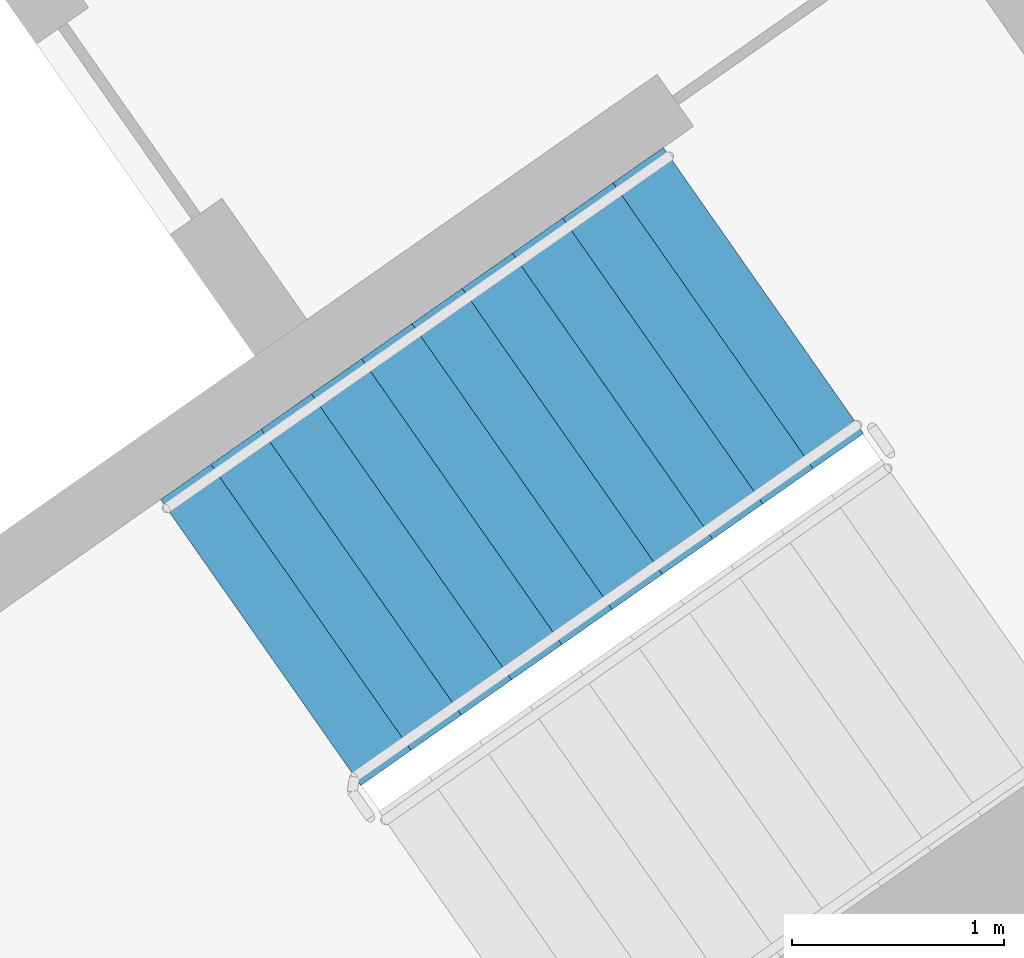
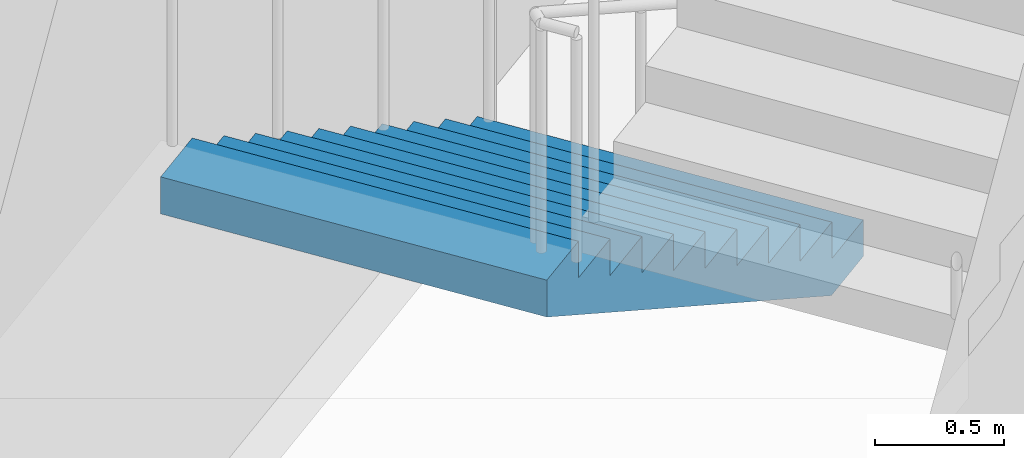
# One storey, part 15 of 28: 1 stair flight, 1 element without a shape of its own.
"""IFC4 building model written with IfcOpenShell, lengths in metres."""

import ifcopenshell
import ifcopenshell.guid

model = None  # the IFC model being written
_history = None  # IfcOwnerHistory: only IFC2X3 demands one
_inside = {}  # id of a spatial element -> (the spatial element, [elements in it])
_under = {}  # id of a project, library or spatial element -> (it, [spatial elements below it])
_declared = {}  # id of a project -> (the project, [libraries it declares])
_typed = {}  # id of a type object -> (the type object, [elements of that type])
_made_of = {}  # id of a material, layer set ... -> (it, [elements and type objects made of it])


def new_model(schema):
    """Start an empty IFC model of exactly this schema.

    Asked for "IFC4X3", IfcOpenShell would pick the latest addendum, in which some entities
    have other attributes; the version numbers below select the first issue.
    IFC2X3 requires an IfcOwnerHistory on every rooted entity: one is made here for all.
    """
    global model, _history
    if schema == "IFC4X3":
        model = ifcopenshell.file(schema_version=(4, 3, 0, 0))
    else:
        model = ifcopenshell.file(schema=schema)
    _inside.clear()
    _under.clear()
    _declared.clear()
    _typed.clear()
    _made_of.clear()
    _history = None
    if model.schema == "IFC2X3":
        org = make("IfcOrganization", Name="unknown")
        user = make(
            "IfcPersonAndOrganization",
            ThePerson=make("IfcPerson", FamilyName="unknown"),
            TheOrganization=org,
        )
        app = make(
            "IfcApplication",
            ApplicationDeveloper=org,
            Version="unknown",
            ApplicationFullName="unknown",
            ApplicationIdentifier="unknown",
        )
        _history = make(
            "IfcOwnerHistory",
            OwningUser=user,
            OwningApplication=app,
            ChangeAction="ADDED",
            CreationDate=0,
        )
    return model


def make(cls, **values):
    """One entity of the class cls with the attributes given. An attribute that is None is left unset."""
    return model.create_entity(
        cls, **{name: value for name, value in values.items() if value is not None}
    )


def rooted(cls, **values):
    """An entity with a GlobalId (a new one), such as an element, a storey or a relation."""
    return make(cls, GlobalId=ifcopenshell.guid.new(), OwnerHistory=_history, **values)


def si_unit(unit_type, name, prefix=None):
    """IfcSIUnit, for example si_unit("LENGTHUNIT", "METRE", prefix="MILLI")."""
    return make("IfcSIUnit", UnitType=unit_type, Prefix=prefix, Name=name)


def assignment(units):
    """IfcUnitAssignment: the units of a project."""
    return None if units is None else make("IfcUnitAssignment", Units=units)


def point(xyz):
    """IfcCartesianPoint."""
    return None if xyz is None else make("IfcCartesianPoint", Coordinates=xyz)


def direction(xyz):
    """IfcDirection."""
    return None if xyz is None else make("IfcDirection", DirectionRatios=xyz)


def frame(location, z_axis=None, x_axis=None):
    """IfcAxis2Placement3D, a coordinate frame: its origin and axes. An axis left out is left unset."""
    return make(
        "IfcAxis2Placement3D",
        Location=point(location),
        Axis=direction(z_axis),
        RefDirection=direction(x_axis),
    )


def origin():
    """The frame at (0, 0, 0) with its axes left unset."""
    return frame((0.0, 0.0, 0.0))


def place(relative_to, where):
    """IfcLocalPlacement: puts the frame where relative to a parent placement (None: the world)."""
    return make(
        "IfcLocalPlacement", PlacementRelTo=relative_to, RelativePlacement=where
    )


def context(
    kind, dimensions, precision=None, world=None, true_north=None, identifier=None
):
    """IfcGeometricRepresentationContext, for example the 3D "Model" context."""
    return make(
        "IfcGeometricRepresentationContext",
        ContextIdentifier=identifier,
        ContextType=kind,
        CoordinateSpaceDimension=dimensions,
        Precision=precision,
        WorldCoordinateSystem=world,
        TrueNorth=true_north,
    )


def subcontext(parent, identifier, kind, view, scale=None):
    """IfcGeometricRepresentationSubContext, for example "Body" below "Model"."""
    return make(
        "IfcGeometricRepresentationSubContext",
        ContextIdentifier=identifier,
        ContextType=kind,
        ParentContext=parent,
        TargetScale=scale,
        TargetView=view,
    )


def project(units=None, contexts=None):
    """IfcProject with its units and contexts."""
    return rooted(
        "IfcProject",
        Name="project",
        RepresentationContexts=contexts,
        UnitsInContext=assignment(units),
    )


def spatial(cls, under=None, at=None, **own):
    """A site, building, storey or space (cls), placed at a placement, below another one or the project."""
    s = rooted(cls, ObjectPlacement=at, **own)
    if under is not None:
        _under.setdefault(under.id(), (under, []))[1].append(s)
    return s


def faces_of(points, faces, orient=None, outer=None):
    """IfcFace entities. A face is a list of loops; a loop is a list of indices into points, from 0.

    orient and outer hold one flag for each loop. By default every Orientation is true, the
    first loop of a face is its IfcFaceOuterBound and the others are IfcFaceBound.
    """
    made = []
    for i, loops in enumerate(faces):
        bounds = []
        for j, loop in enumerate(loops):
            is_outer = j == 0 if outer is None else outer[i][j]
            bounds.append(
                make(
                    "IfcFaceOuterBound" if is_outer else "IfcFaceBound",
                    Bound=make("IfcPolyLoop", Polygon=[points[k] for k in loop]),
                    Orientation=True if orient is None else orient[i][j],
                )
            )
        made.append(make("IfcFace", Bounds=bounds))
    return made


def faceted_brep(points, faces, orient=None, outer=None, voids=None):
    """IfcFacetedBrep: a solid bounded by flat faces; with voids (closed shells), ...WithVoids."""
    shared = [point(p) for p in points]
    hull = make("IfcClosedShell", CfsFaces=faces_of(shared, faces, orient, outer))
    if voids is None:
        return make("IfcFacetedBrep", Outer=hull)
    return make(
        "IfcFacetedBrepWithVoids",
        Outer=hull,
        Voids=[
            make(cls, CfsFaces=faces_of(shared, fs, o, b)) for cls, fs, o, b in voids
        ],
    )


def shape(context_of_items, identifier, shape_type, items):
    """IfcShapeRepresentation: the items that make up one representation, for example the "Body"."""
    return make(
        "IfcShapeRepresentation",
        ContextOfItems=context_of_items,
        RepresentationIdentifier=identifier,
        RepresentationType=shape_type,
        Items=items,
    )


def material(Name=None, Category=None):
    """IfcMaterial."""
    return make("IfcMaterial", Name=Name, Category=Category)


def made_of(thing, what):
    """Note that an element or type object is made of a material, layer set ...; save() writes the relation."""
    if what is not None:
        _made_of.setdefault(what.id(), (what, []))[1].append(thing)
    return thing


def type_object(cls, material=None, **own):
    """A type object (cls), such as IfcWallType, which elements share."""
    return made_of(rooted(cls, **own), material)


def element(
    cls,
    number,
    at=None,
    inside=None,
    cuts=None,
    type_object=None,
    material=None,
    context=None,
    identifier="Body",
    shape_type=None,
    held_by="IfcProductDefinitionShape",
    body=None,
    shapes=None,
    **own,
):
    """One element of the class cls, such as IfcWall. Its Tag is "e" and its number.

    at: its placement. inside: the storey or other place that contains it. cuts: it is an
    opening in that element (IfcRelVoidsElement). A single representation is given by context,
    identifier, shape_type and body (its items); several are given by shapes. held_by: the class
    of the entity that holds the representations. save() writes the other relations.
    """
    e = rooted(cls, Tag="e%d" % number, ObjectPlacement=at, **own)
    if body is not None:
        shapes = [shape(context, identifier, shape_type, body)]
    if shapes is not None:
        e.Representation = make(held_by, Representations=shapes)
    if inside is not None:
        _inside.setdefault(inside.id(), (inside, []))[1].append(e)
    if cuts is not None:
        rooted(
            "IfcRelVoidsElement", RelatingBuildingElement=cuts, RelatedOpeningElement=e
        )
    if type_object is not None:
        _typed.setdefault(type_object.id(), (type_object, []))[1].append(e)
    return made_of(e, material)


def aggregate(whole, parts):
    """IfcRelAggregates: a whole, such as a stair, and the parts it consists of."""
    return rooted("IfcRelAggregates", RelatingObject=whole, RelatedObjects=parts)


def save(model, path):
    """Write the relations noted so far, then the file.

    IfcRelAggregates (storeys below a building ...), IfcRelContainedInSpatialStructure (elements
    in a storey), IfcRelDefinesByType, IfcRelAssociatesMaterial and IfcRelDeclares: one each for
    every whole, place, type object, material and project.
    """
    for whole, parts in _under.values():
        aggregate(whole, parts)
    for where, things in _inside.values():
        rooted(
            "IfcRelContainedInSpatialStructure",
            RelatedElements=things,
            RelatingStructure=where,
        )
    for kind, things in _typed.values():
        rooted("IfcRelDefinesByType", RelatedObjects=things, RelatingType=kind)
    for what, things in _made_of.values():
        rooted("IfcRelAssociatesMaterial", RelatedObjects=things, RelatingMaterial=what)
    for by, libraries in _declared.values():
        rooted("IfcRelDeclares", RelatingContext=by, RelatedDefinitions=libraries)
    model.write(path)


model = new_model("IFC4")

# Units and contexts
model_context = context("Model", 3, precision=1e-05, world=origin(), true_north=direction((0.0, 1.0)))
body_context = subcontext(model_context, "Body", "Model", "MODEL_VIEW")
ifc_project = project(units=[si_unit("LENGTHUNIT", "METRE"), si_unit("AREAUNIT", "SQUARE_METRE"), si_unit("VOLUMEUNIT", "CUBIC_METRE"), si_unit("PLANEANGLEUNIT", "RADIAN"), si_unit("MASSUNIT", "GRAM", prefix="KILO")], contexts=[model_context])

# Site, building, storey
site_placement = place(None, origin())
site = spatial("IfcSite", under=ifc_project, at=site_placement, CompositionType="ELEMENT")
building_placement = place(site_placement, origin())
building = spatial("IfcBuilding", under=site, at=building_placement, Name="Qamariyya Broadcast Tower", CompositionType="ELEMENT")
storey_placement = place(building_placement, frame((0.0, 0.0, 215.10009765625)))
storey = spatial("IfcBuildingStorey", under=building, at=storey_placement, Name="L51", CompositionType="ELEMENT", Elevation=215.10009765625)

# Stair, stair flight
ifc_material = material(Name="Concrete C50/60", Category="concrete")
stair_type = type_object("IfcStairType", Name="Exit stair 22 risers of 173 mm", PredefinedType="HALF_TURN_STAIR", material=ifc_material)
stair_placement = place(storey_placement, origin())
stair = element("IfcStair", 1, at=stair_placement, inside=storey, type_object=stair_type, Name="L51 Stair E1", PredefinedType="HALF_TURN_STAIR")
stair_flight_type = type_object("IfcStairFlightType", Name="Exit stair flight 11 risers of 173 mm", PredefinedType="STRAIGHT", material=ifc_material)
stair_flight_placement = place(storey_placement, frame((46.036376953125, -55.508056640625, 0.0), z_axis=(0.0, 0.0, 1.0), x_axis=(-0.819152044289, -0.573576436351, 0.0)))
stair_flight = element("IfcStairFlight", 2, at=stair_flight_placement, type_object=stair_flight_type, Name="ST-E1 flight 1", NumberOfRisers=11, NumberOfTreads=10, PredefinedType="STRAIGHT", RiserHeight=0.172727273, TreadLength=0.29, context=body_context, shape_type="Brep", body=[
    faceted_brep([(0.0, 0.824951171875, 0.0), (0.0, 0.824951171875, 0.172607421875), (0.2900390625, 0.824951171875, 0.172607421875), (0.2900390625, 0.824951171875, 0.345458984375), (0.580078125, 0.824951171875, 0.345458984375), (0.580078125, 0.824951171875, 0.51806640625), (0.8701171875, 0.824951171875, 0.51806640625), (0.8701171875, 0.824951171875, 0.69091796875), (1.159912109375, 0.824951171875, 0.69091796875), (1.159912109375, 0.824951171875, 0.863525390625), (1.449951171875, 0.824951171875, 0.863525390625), (1.449951171875, 0.824951171875, 1.036376953125), (1.739990234375, 0.824951171875, 1.036376953125), (1.739990234375, 0.824951171875, 1.208984375), (2.030029296875, 0.824951171875, 1.208984375), (2.030029296875, 0.824951171875, 1.3818359375), (2.320068359375, 0.824951171875, 1.3818359375), (2.320068359375, 0.824951171875, 1.554443359375), (2.610107421875, 0.824951171875, 1.554443359375), (2.610107421875, 0.824951171875, 1.727294921875), (2.89990234375, 0.824951171875, 1.727294921875), (2.89990234375, 0.824951171875, 1.552734375), (0.29296875, 0.824951171875, 0.0), (0.29296875, -0.824951171875, 0.0), (2.89990234375, -0.824951171875, 1.552734375), (2.89990234375, -0.824951171875, 1.727294921875), (2.610107421875, -0.824951171875, 1.727294921875), (2.610107421875, -0.824951171875, 1.554443359375), (2.320068359375, -0.824951171875, 1.554443359375), (2.320068359375, -0.824951171875, 1.3818359375), (2.030029296875, -0.824951171875, 1.3818359375), (2.030029296875, -0.824951171875, 1.208984375), (1.739990234375, -0.824951171875, 1.208984375), (1.739990234375, -0.824951171875, 1.036376953125), (1.449951171875, -0.824951171875, 1.036376953125), (1.449951171875, -0.824951171875, 0.863525390625), (1.159912109375, -0.824951171875, 0.863525390625), (1.159912109375, -0.824951171875, 0.69091796875), (0.8701171875, -0.824951171875, 0.69091796875), (0.8701171875, -0.824951171875, 0.51806640625), (0.580078125, -0.824951171875, 0.51806640625), (0.580078125, -0.824951171875, 0.345458984375), (0.2900390625, -0.824951171875, 0.345458984375), (0.2900390625, -0.824951171875, 0.172607421875), (0.0, -0.824951171875, 0.172607421875), (0.0, -0.824951171875, 0.0), (0.0, 0.10009765625, 0.0), (0.0, 0.086669921875, 0.0), (0.0, 0.0732421875, 0.0), (0.0, 0.06005859375, 0.0), (0.0, 0.046630859375, 0.0), (0.0, 0.033447265625, 0.0), (0.0, 0.02001953125, 0.0), (0.0, 0.006591796875, 0.0), (0.0, -0.006591796875, 0.0), (0.0, -0.02001953125, 0.0), (0.0, -0.033447265625, 0.0), (0.0, -0.046630859375, 0.0), (0.0, -0.06005859375, 0.0), (0.0, -0.0732421875, 0.0), (0.0, -0.086669921875, 0.0), (0.0, -0.10009765625, 0.0), (0.0, -0.10009765625, 0.172607421875), (0.0, -0.086669921875, 0.172607421875), (0.0, -0.0732421875, 0.172607421875), (0.0, -0.06005859375, 0.172607421875), (0.0, -0.046630859375, 0.172607421875), (0.0, -0.033447265625, 0.172607421875), (0.0, -0.02001953125, 0.172607421875), (0.0, -0.006591796875, 0.172607421875), (0.0, 0.006591796875, 0.172607421875), (0.0, 0.02001953125, 0.172607421875), (0.0, 0.033447265625, 0.172607421875), (0.0, 0.046630859375, 0.172607421875), (0.0, 0.06005859375, 0.172607421875), (0.0, 0.0732421875, 0.172607421875), (0.0, 0.086669921875, 0.172607421875), (0.0, 0.10009765625, 0.172607421875), (0.2900390625, -0.10009765625, 0.172607421875), (0.2900390625, -0.086669921875, 0.172607421875), (0.2900390625, -0.0732421875, 0.172607421875), (0.2900390625, -0.06005859375, 0.172607421875), (0.2900390625, -0.046630859375, 0.172607421875), (0.2900390625, -0.033447265625, 0.172607421875), (0.2900390625, -0.02001953125, 0.172607421875), (0.2900390625, -0.006591796875, 0.172607421875), (0.2900390625, 0.006591796875, 0.172607421875), (0.2900390625, 0.02001953125, 0.172607421875), (0.2900390625, 0.033447265625, 0.172607421875), (0.2900390625, 0.046630859375, 0.172607421875), (0.2900390625, 0.06005859375, 0.172607421875), (0.2900390625, 0.0732421875, 0.172607421875), (0.2900390625, 0.086669921875, 0.172607421875), (0.2900390625, 0.10009765625, 0.172607421875), (0.2900390625, -0.10009765625, 0.345458984375), (0.2900390625, -0.086669921875, 0.345458984375), (0.2900390625, -0.0732421875, 0.345458984375), (0.2900390625, -0.06005859375, 0.345458984375), (0.2900390625, -0.046630859375, 0.345458984375), (0.2900390625, -0.033447265625, 0.345458984375), (0.2900390625, -0.02001953125, 0.345458984375), (0.2900390625, -0.006591796875, 0.345458984375), (0.2900390625, 0.006591796875, 0.345458984375), (0.2900390625, 0.02001953125, 0.345458984375), (0.2900390625, 0.033447265625, 0.345458984375), (0.2900390625, 0.046630859375, 0.345458984375), (0.2900390625, 0.06005859375, 0.345458984375), (0.2900390625, 0.0732421875, 0.345458984375), (0.2900390625, 0.086669921875, 0.345458984375), (0.2900390625, 0.10009765625, 0.345458984375), (0.580078125, -0.10009765625, 0.345458984375), (0.580078125, -0.086669921875, 0.345458984375), (0.580078125, -0.0732421875, 0.345458984375), (0.580078125, -0.06005859375, 0.345458984375), (0.580078125, -0.046630859375, 0.345458984375), (0.580078125, -0.033447265625, 0.345458984375), (0.580078125, -0.02001953125, 0.345458984375), (0.580078125, -0.006591796875, 0.345458984375), (0.580078125, 0.006591796875, 0.345458984375), (0.580078125, 0.02001953125, 0.345458984375), (0.580078125, 0.033447265625, 0.345458984375), (0.580078125, 0.046630859375, 0.345458984375), (0.580078125, 0.06005859375, 0.345458984375), (0.580078125, 0.0732421875, 0.345458984375), (0.580078125, 0.086669921875, 0.345458984375), (0.580078125, 0.10009765625, 0.345458984375), (0.580078125, -0.10009765625, 0.51806640625), (0.580078125, -0.086669921875, 0.51806640625), (0.580078125, -0.0732421875, 0.51806640625), (0.580078125, -0.06005859375, 0.51806640625), (0.580078125, -0.046630859375, 0.51806640625), (0.580078125, -0.033447265625, 0.51806640625), (0.580078125, -0.02001953125, 0.51806640625), (0.580078125, -0.006591796875, 0.51806640625), (0.580078125, 0.006591796875, 0.51806640625), (0.580078125, 0.02001953125, 0.51806640625), (0.580078125, 0.033447265625, 0.51806640625), (0.580078125, 0.046630859375, 0.51806640625), (0.580078125, 0.06005859375, 0.51806640625), (0.580078125, 0.0732421875, 0.51806640625), (0.580078125, 0.086669921875, 0.51806640625), (0.580078125, 0.10009765625, 0.51806640625), (0.8701171875, -0.10009765625, 0.51806640625), (0.8701171875, -0.086669921875, 0.51806640625), (0.8701171875, -0.0732421875, 0.51806640625), (0.8701171875, -0.06005859375, 0.51806640625), (0.8701171875, -0.046630859375, 0.51806640625), (0.8701171875, -0.033447265625, 0.51806640625), (0.8701171875, -0.02001953125, 0.51806640625), (0.8701171875, -0.006591796875, 0.51806640625), (0.8701171875, 0.006591796875, 0.51806640625), (0.8701171875, 0.02001953125, 0.51806640625), (0.8701171875, 0.033447265625, 0.51806640625), (0.8701171875, 0.046630859375, 0.51806640625), (0.8701171875, 0.06005859375, 0.51806640625), (0.8701171875, 0.0732421875, 0.51806640625), (0.8701171875, 0.086669921875, 0.51806640625), (0.8701171875, 0.10009765625, 0.51806640625), (0.8701171875, -0.10009765625, 0.69091796875), (0.8701171875, -0.086669921875, 0.69091796875), (0.8701171875, -0.0732421875, 0.69091796875), (0.8701171875, -0.06005859375, 0.69091796875), (0.8701171875, -0.046630859375, 0.69091796875), (0.8701171875, -0.033447265625, 0.69091796875), (0.8701171875, -0.02001953125, 0.69091796875), (0.8701171875, -0.006591796875, 0.69091796875), (0.8701171875, 0.006591796875, 0.69091796875), (0.8701171875, 0.02001953125, 0.69091796875), (0.8701171875, 0.033447265625, 0.69091796875), (0.8701171875, 0.046630859375, 0.69091796875), (0.8701171875, 0.06005859375, 0.69091796875), (0.8701171875, 0.0732421875, 0.69091796875), (0.8701171875, 0.086669921875, 0.69091796875), (0.8701171875, 0.10009765625, 0.69091796875), (1.159912109375, -0.10009765625, 0.69091796875), (1.159912109375, -0.086669921875, 0.69091796875), (1.159912109375, -0.0732421875, 0.69091796875), (1.159912109375, -0.06005859375, 0.69091796875), (1.159912109375, -0.046630859375, 0.69091796875), (1.159912109375, -0.033447265625, 0.69091796875), (1.159912109375, -0.02001953125, 0.69091796875), (1.159912109375, -0.006591796875, 0.69091796875), (1.159912109375, 0.006591796875, 0.69091796875), (1.159912109375, 0.02001953125, 0.69091796875), (1.159912109375, 0.033447265625, 0.69091796875), (1.159912109375, 0.046630859375, 0.69091796875), (1.159912109375, 0.06005859375, 0.69091796875), (1.159912109375, 0.0732421875, 0.69091796875), (1.159912109375, 0.086669921875, 0.69091796875), (1.159912109375, 0.10009765625, 0.69091796875), (1.159912109375, -0.10009765625, 0.863525390625), (1.159912109375, -0.086669921875, 0.863525390625), (1.159912109375, -0.0732421875, 0.863525390625), (1.159912109375, -0.06005859375, 0.863525390625), (1.159912109375, -0.046630859375, 0.863525390625), (1.159912109375, -0.033447265625, 0.863525390625), (1.159912109375, -0.02001953125, 0.863525390625), (1.159912109375, -0.006591796875, 0.863525390625), (1.159912109375, 0.006591796875, 0.863525390625), (1.159912109375, 0.02001953125, 0.863525390625), (1.159912109375, 0.033447265625, 0.863525390625), (1.159912109375, 0.046630859375, 0.863525390625), (1.159912109375, 0.06005859375, 0.863525390625), (1.159912109375, 0.0732421875, 0.863525390625), (1.159912109375, 0.086669921875, 0.863525390625), (1.159912109375, 0.10009765625, 0.863525390625), (1.449951171875, -0.10009765625, 0.863525390625), (1.449951171875, -0.086669921875, 0.863525390625), (1.449951171875, -0.0732421875, 0.863525390625), (1.449951171875, -0.06005859375, 0.863525390625), (1.449951171875, -0.046630859375, 0.863525390625), (1.449951171875, -0.033447265625, 0.863525390625), (1.449951171875, -0.02001953125, 0.863525390625), (1.449951171875, -0.006591796875, 0.863525390625), (1.449951171875, 0.006591796875, 0.863525390625), (1.449951171875, 0.02001953125, 0.863525390625), (1.449951171875, 0.033447265625, 0.863525390625), (1.449951171875, 0.046630859375, 0.863525390625), (1.449951171875, 0.06005859375, 0.863525390625), (1.449951171875, 0.0732421875, 0.863525390625), (1.449951171875, 0.086669921875, 0.863525390625), (1.449951171875, 0.10009765625, 0.863525390625), (1.449951171875, -0.10009765625, 1.036376953125), (1.449951171875, -0.086669921875, 1.036376953125), (1.449951171875, -0.0732421875, 1.036376953125), (1.449951171875, -0.06005859375, 1.036376953125), (1.449951171875, -0.046630859375, 1.036376953125), (1.449951171875, -0.033447265625, 1.036376953125), (1.449951171875, -0.02001953125, 1.036376953125), (1.449951171875, -0.006591796875, 1.036376953125), (1.449951171875, 0.006591796875, 1.036376953125), (1.449951171875, 0.02001953125, 1.036376953125), (1.449951171875, 0.033447265625, 1.036376953125), (1.449951171875, 0.046630859375, 1.036376953125), (1.449951171875, 0.06005859375, 1.036376953125), (1.449951171875, 0.0732421875, 1.036376953125), (1.449951171875, 0.086669921875, 1.036376953125), (1.449951171875, 0.10009765625, 1.036376953125), (1.739990234375, -0.10009765625, 1.036376953125), (1.739990234375, -0.086669921875, 1.036376953125), (1.739990234375, -0.0732421875, 1.036376953125), (1.739990234375, -0.06005859375, 1.036376953125), (1.739990234375, -0.046630859375, 1.036376953125), (1.739990234375, -0.033447265625, 1.036376953125), (1.739990234375, -0.02001953125, 1.036376953125), (1.739990234375, -0.006591796875, 1.036376953125), (1.739990234375, 0.006591796875, 1.036376953125), (1.739990234375, 0.02001953125, 1.036376953125), (1.739990234375, 0.033447265625, 1.036376953125), (1.739990234375, 0.046630859375, 1.036376953125), (1.739990234375, 0.06005859375, 1.036376953125), (1.739990234375, 0.0732421875, 1.036376953125), (1.739990234375, 0.086669921875, 1.036376953125), (1.739990234375, 0.10009765625, 1.036376953125), (1.739990234375, -0.10009765625, 1.208984375), (1.739990234375, -0.086669921875, 1.208984375), (1.739990234375, -0.0732421875, 1.208984375), (1.739990234375, -0.06005859375, 1.208984375), (1.739990234375, -0.046630859375, 1.208984375), (1.739990234375, -0.033447265625, 1.208984375), (1.739990234375, -0.02001953125, 1.208984375), (1.739990234375, -0.006591796875, 1.208984375), (1.739990234375, 0.006591796875, 1.208984375), (1.739990234375, 0.02001953125, 1.208984375), (1.739990234375, 0.033447265625, 1.208984375), (1.739990234375, 0.046630859375, 1.208984375), (1.739990234375, 0.06005859375, 1.208984375), (1.739990234375, 0.0732421875, 1.208984375), (1.739990234375, 0.086669921875, 1.208984375), (1.739990234375, 0.10009765625, 1.208984375), (2.030029296875, -0.10009765625, 1.208984375), (2.030029296875, -0.086669921875, 1.208984375), (2.030029296875, -0.0732421875, 1.208984375), (2.030029296875, -0.06005859375, 1.208984375), (2.030029296875, -0.046630859375, 1.208984375), (2.030029296875, -0.033447265625, 1.208984375), (2.030029296875, -0.02001953125, 1.208984375), (2.030029296875, -0.006591796875, 1.208984375), (2.030029296875, 0.006591796875, 1.208984375), (2.030029296875, 0.02001953125, 1.208984375), (2.030029296875, 0.033447265625, 1.208984375), (2.030029296875, 0.046630859375, 1.208984375), (2.030029296875, 0.06005859375, 1.208984375), (2.030029296875, 0.0732421875, 1.208984375), (2.030029296875, 0.086669921875, 1.208984375), (2.030029296875, 0.10009765625, 1.208984375), (2.030029296875, -0.10009765625, 1.3818359375), (2.030029296875, -0.086669921875, 1.3818359375), (2.030029296875, -0.0732421875, 1.3818359375), (2.030029296875, -0.06005859375, 1.3818359375), (2.030029296875, -0.046630859375, 1.3818359375), (2.030029296875, -0.033447265625, 1.3818359375), (2.030029296875, -0.02001953125, 1.3818359375), (2.030029296875, -0.006591796875, 1.3818359375), (2.030029296875, 0.006591796875, 1.3818359375), (2.030029296875, 0.02001953125, 1.3818359375), (2.030029296875, 0.033447265625, 1.3818359375), (2.030029296875, 0.046630859375, 1.3818359375), (2.030029296875, 0.06005859375, 1.3818359375), (2.030029296875, 0.0732421875, 1.3818359375), (2.030029296875, 0.086669921875, 1.3818359375), (2.030029296875, 0.10009765625, 1.3818359375), (2.320068359375, -0.10009765625, 1.3818359375), (2.320068359375, -0.086669921875, 1.3818359375), (2.320068359375, -0.0732421875, 1.3818359375), (2.320068359375, -0.06005859375, 1.3818359375), (2.320068359375, -0.046630859375, 1.3818359375), (2.320068359375, -0.033447265625, 1.3818359375), (2.320068359375, -0.02001953125, 1.3818359375), (2.320068359375, -0.006591796875, 1.3818359375), (2.320068359375, 0.006591796875, 1.3818359375), (2.320068359375, 0.02001953125, 1.3818359375), (2.320068359375, 0.033447265625, 1.3818359375), (2.320068359375, 0.046630859375, 1.3818359375), (2.320068359375, 0.06005859375, 1.3818359375), (2.320068359375, 0.0732421875, 1.3818359375), (2.320068359375, 0.086669921875, 1.3818359375), (2.320068359375, 0.10009765625, 1.3818359375), (2.320068359375, -0.10009765625, 1.554443359375), (2.320068359375, -0.086669921875, 1.554443359375), (2.320068359375, -0.0732421875, 1.554443359375), (2.320068359375, -0.06005859375, 1.554443359375), (2.320068359375, -0.046630859375, 1.554443359375), (2.320068359375, -0.033447265625, 1.554443359375), (2.320068359375, -0.02001953125, 1.554443359375), (2.320068359375, -0.006591796875, 1.554443359375), (2.320068359375, 0.006591796875, 1.554443359375), (2.320068359375, 0.02001953125, 1.554443359375), (2.320068359375, 0.033447265625, 1.554443359375), (2.320068359375, 0.046630859375, 1.554443359375), (2.320068359375, 0.06005859375, 1.554443359375), (2.320068359375, 0.0732421875, 1.554443359375), (2.320068359375, 0.086669921875, 1.554443359375), (2.320068359375, 0.10009765625, 1.554443359375), (2.610107421875, -0.10009765625, 1.554443359375), (2.610107421875, -0.086669921875, 1.554443359375), (2.610107421875, -0.0732421875, 1.554443359375), (2.610107421875, -0.06005859375, 1.554443359375), (2.610107421875, -0.046630859375, 1.554443359375), (2.610107421875, -0.033447265625, 1.554443359375), (2.610107421875, -0.02001953125, 1.554443359375), (2.610107421875, -0.006591796875, 1.554443359375), (2.610107421875, 0.006591796875, 1.554443359375), (2.610107421875, 0.02001953125, 1.554443359375), (2.610107421875, 0.033447265625, 1.554443359375), (2.610107421875, 0.046630859375, 1.554443359375), (2.610107421875, 0.06005859375, 1.554443359375), (2.610107421875, 0.0732421875, 1.554443359375), (2.610107421875, 0.086669921875, 1.554443359375), (2.610107421875, 0.10009765625, 1.554443359375), (2.610107421875, -0.10009765625, 1.727294921875), (2.610107421875, -0.086669921875, 1.727294921875), (2.610107421875, -0.0732421875, 1.727294921875), (2.610107421875, -0.06005859375, 1.727294921875), (2.610107421875, -0.046630859375, 1.727294921875), (2.610107421875, -0.033447265625, 1.727294921875), (2.610107421875, -0.02001953125, 1.727294921875), (2.610107421875, -0.006591796875, 1.727294921875), (2.610107421875, 0.006591796875, 1.727294921875), (2.610107421875, 0.02001953125, 1.727294921875), (2.610107421875, 0.033447265625, 1.727294921875), (2.610107421875, 0.046630859375, 1.727294921875), (2.610107421875, 0.06005859375, 1.727294921875), (2.610107421875, 0.0732421875, 1.727294921875), (2.610107421875, 0.086669921875, 1.727294921875), (2.610107421875, 0.10009765625, 1.727294921875), (2.89990234375, -0.10009765625, 1.727294921875), (2.89990234375, -0.086669921875, 1.727294921875), (2.89990234375, -0.0732421875, 1.727294921875), (2.89990234375, -0.06005859375, 1.727294921875), (2.89990234375, -0.046630859375, 1.727294921875), (2.89990234375, -0.033447265625, 1.727294921875), (2.89990234375, -0.02001953125, 1.727294921875), (2.89990234375, -0.006591796875, 1.727294921875), (2.89990234375, 0.006591796875, 1.727294921875), (2.89990234375, 0.02001953125, 1.727294921875), (2.89990234375, 0.033447265625, 1.727294921875), (2.89990234375, 0.046630859375, 1.727294921875), (2.89990234375, 0.06005859375, 1.727294921875), (2.89990234375, 0.0732421875, 1.727294921875), (2.89990234375, 0.086669921875, 1.727294921875), (2.89990234375, 0.10009765625, 1.727294921875), (2.89990234375, -0.10009765625, 1.552734375), (2.89990234375, -0.086669921875, 1.552734375), (2.89990234375, -0.0732421875, 1.552734375), (2.89990234375, -0.06005859375, 1.552734375), (2.89990234375, -0.046630859375, 1.552734375), (2.89990234375, -0.033447265625, 1.552734375), (2.89990234375, -0.02001953125, 1.552734375), (2.89990234375, -0.006591796875, 1.552734375), (2.89990234375, 0.006591796875, 1.552734375), (2.89990234375, 0.02001953125, 1.552734375), (2.89990234375, 0.033447265625, 1.552734375), (2.89990234375, 0.046630859375, 1.552734375), (2.89990234375, 0.06005859375, 1.552734375), (2.89990234375, 0.0732421875, 1.552734375), (2.89990234375, 0.086669921875, 1.552734375), (2.89990234375, 0.10009765625, 1.552734375), (0.29296875, -0.10009765625, 0.0), (0.29296875, -0.086669921875, 0.0), (0.29296875, -0.0732421875, 0.0), (0.29296875, -0.06005859375, 0.0), (0.29296875, -0.046630859375, 0.0), (0.29296875, -0.033447265625, 0.0), (0.29296875, -0.02001953125, 0.0), (0.29296875, -0.006591796875, 0.0), (0.29296875, 0.006591796875, 0.0), (0.29296875, 0.02001953125, 0.0), (0.29296875, 0.033447265625, 0.0), (0.29296875, 0.046630859375, 0.0), (0.29296875, 0.06005859375, 0.0), (0.29296875, 0.0732421875, 0.0), (0.29296875, 0.086669921875, 0.0), (0.29296875, 0.10009765625, 0.0)], [[[0, 1, 2, 3, 4, 5, 6, 7, 8, 9, 10, 11, 12, 13, 14, 15, 16, 17, 18, 19, 20, 21, 22]], [[23, 24, 25, 26, 27, 28, 29, 30, 31, 32, 33, 34, 35, 36, 37, 38, 39, 40, 41, 42, 43, 44, 45]], [[0, 46, 47, 48, 49, 50, 51, 52, 53, 54, 55, 56, 57, 58, 59, 60, 61, 45, 44, 62, 63, 64, 65, 66, 67, 68, 69, 70, 71, 72, 73, 74, 75, 76, 77, 1]], [[1, 77, 76, 75, 74, 73, 72, 71, 70, 69, 68, 67, 66, 65, 64, 63, 62, 44, 43, 78, 79, 80, 81, 82, 83, 84, 85, 86, 87, 88, 89, 90, 91, 92, 93, 2]], [[2, 93, 92, 91, 90, 89, 88, 87, 86, 85, 84, 83, 82, 81, 80, 79, 78, 43, 42, 94, 95, 96, 97, 98, 99, 100, 101, 102, 103, 104, 105, 106, 107, 108, 109, 3]], [[3, 109, 108, 107, 106, 105, 104, 103, 102, 101, 100, 99, 98, 97, 96, 95, 94, 42, 41, 110, 111, 112, 113, 114, 115, 116, 117, 118, 119, 120, 121, 122, 123, 124, 125, 4]], [[4, 125, 124, 123, 122, 121, 120, 119, 118, 117, 116, 115, 114, 113, 112, 111, 110, 41, 40, 126, 127, 128, 129, 130, 131, 132, 133, 134, 135, 136, 137, 138, 139, 140, 141, 5]], [[5, 141, 140, 139, 138, 137, 136, 135, 134, 133, 132, 131, 130, 129, 128, 127, 126, 40, 39, 142, 143, 144, 145, 146, 147, 148, 149, 150, 151, 152, 153, 154, 155, 156, 157, 6]], [[6, 157, 156, 155, 154, 153, 152, 151, 150, 149, 148, 147, 146, 145, 144, 143, 142, 39, 38, 158, 159, 160, 161, 162, 163, 164, 165, 166, 167, 168, 169, 170, 171, 172, 173, 7]], [[7, 173, 172, 171, 170, 169, 168, 167, 166, 165, 164, 163, 162, 161, 160, 159, 158, 38, 37, 174, 175, 176, 177, 178, 179, 180, 181, 182, 183, 184, 185, 186, 187, 188, 189, 8]], [[8, 189, 188, 187, 186, 185, 184, 183, 182, 181, 180, 179, 178, 177, 176, 175, 174, 37, 36, 190, 191, 192, 193, 194, 195, 196, 197, 198, 199, 200, 201, 202, 203, 204, 205, 9]], [[9, 205, 204, 203, 202, 201, 200, 199, 198, 197, 196, 195, 194, 193, 192, 191, 190, 36, 35, 206, 207, 208, 209, 210, 211, 212, 213, 214, 215, 216, 217, 218, 219, 220, 221, 10]], [[10, 221, 220, 219, 218, 217, 216, 215, 214, 213, 212, 211, 210, 209, 208, 207, 206, 35, 34, 222, 223, 224, 225, 226, 227, 228, 229, 230, 231, 232, 233, 234, 235, 236, 237, 11]], [[11, 237, 236, 235, 234, 233, 232, 231, 230, 229, 228, 227, 226, 225, 224, 223, 222, 34, 33, 238, 239, 240, 241, 242, 243, 244, 245, 246, 247, 248, 249, 250, 251, 252, 253, 12]], [[12, 253, 252, 251, 250, 249, 248, 247, 246, 245, 244, 243, 242, 241, 240, 239, 238, 33, 32, 254, 255, 256, 257, 258, 259, 260, 261, 262, 263, 264, 265, 266, 267, 268, 269, 13]], [[13, 269, 268, 267, 266, 265, 264, 263, 262, 261, 260, 259, 258, 257, 256, 255, 254, 32, 31, 270, 271, 272, 273, 274, 275, 276, 277, 278, 279, 280, 281, 282, 283, 284, 285, 14]], [[14, 285, 284, 283, 282, 281, 280, 279, 278, 277, 276, 275, 274, 273, 272, 271, 270, 31, 30, 286, 287, 288, 289, 290, 291, 292, 293, 294, 295, 296, 297, 298, 299, 300, 301, 15]], [[15, 301, 300, 299, 298, 297, 296, 295, 294, 293, 292, 291, 290, 289, 288, 287, 286, 30, 29, 302, 303, 304, 305, 306, 307, 308, 309, 310, 311, 312, 313, 314, 315, 316, 317, 16]], [[16, 317, 316, 315, 314, 313, 312, 311, 310, 309, 308, 307, 306, 305, 304, 303, 302, 29, 28, 318, 319, 320, 321, 322, 323, 324, 325, 326, 327, 328, 329, 330, 331, 332, 333, 17]], [[17, 333, 332, 331, 330, 329, 328, 327, 326, 325, 324, 323, 322, 321, 320, 319, 318, 28, 27, 334, 335, 336, 337, 338, 339, 340, 341, 342, 343, 344, 345, 346, 347, 348, 349, 18]], [[18, 349, 348, 347, 346, 345, 344, 343, 342, 341, 340, 339, 338, 337, 336, 335, 334, 27, 26, 350, 351, 352, 353, 354, 355, 356, 357, 358, 359, 360, 361, 362, 363, 364, 365, 19]], [[19, 365, 364, 363, 362, 361, 360, 359, 358, 357, 356, 355, 354, 353, 352, 351, 350, 26, 25, 366, 367, 368, 369, 370, 371, 372, 373, 374, 375, 376, 377, 378, 379, 380, 381, 20]], [[20, 381, 380, 379, 378, 377, 376, 375, 374, 373, 372, 371, 370, 369, 368, 367, 366, 25, 24, 382, 383, 384, 385, 386, 387, 388, 389, 390, 391, 392, 393, 394, 395, 396, 397, 21]], [[21, 397, 396, 395, 394, 393, 392, 391, 390, 389, 388, 387, 386, 385, 384, 383, 382, 24, 23, 398, 399, 400, 401, 402, 403, 404, 405, 406, 407, 408, 409, 410, 411, 412, 413, 22]], [[22, 413, 412, 411, 410, 409, 408, 407, 406, 405, 404, 403, 402, 401, 400, 399, 398, 23, 45, 61, 60, 59, 58, 57, 56, 55, 54, 53, 52, 51, 50, 49, 48, 47, 46, 0]]]),
])
aggregate(stair, [stair_flight])

save(model, "model.ifc")
